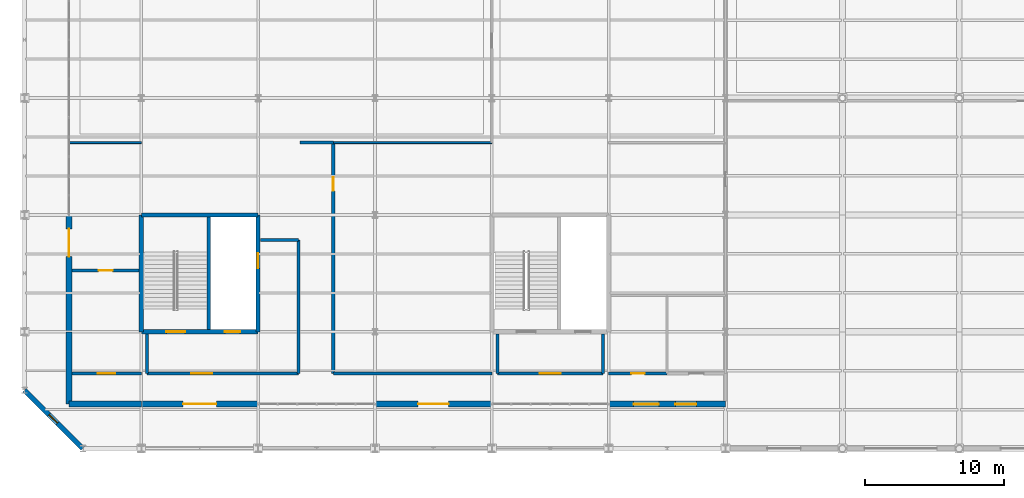
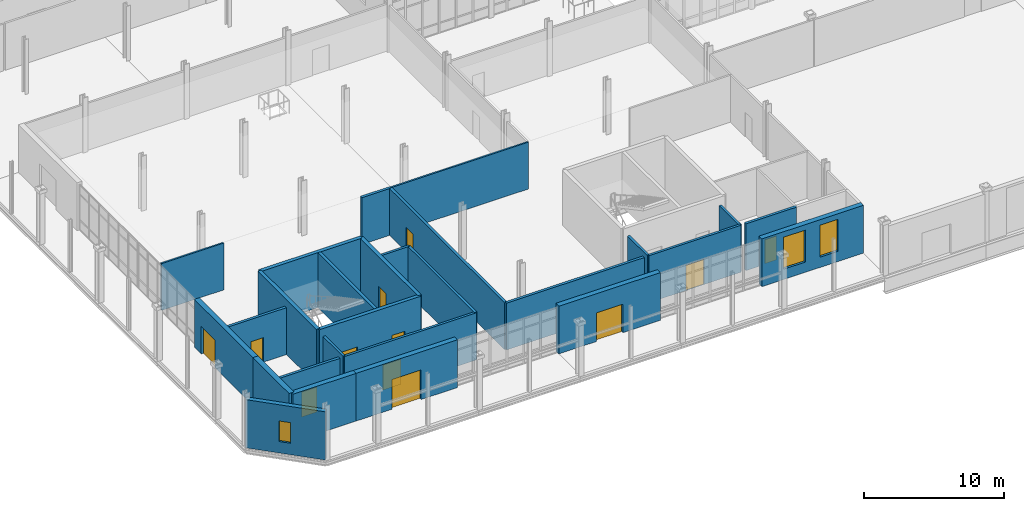
# One storey, part 123 of 145: 27 walls, 12 doors, 3 windows, 15 openings.
"""IFC4 building model written with IfcOpenShell, lengths in metres."""

from ifc_helpers import new_model, si_unit, direction, frame, frame_2d, origin, place, context, subcontext, project, spatial, rectangle, extrude, material, layer, layer_set, type_object, element, fill, save


model = new_model("IFC4")

# Units and contexts
model_context = context("Model", 3, precision=1e-05, world=origin(), true_north=direction((0.0, 1.0)))
body_context = subcontext(model_context, "Body", "Model", "MODEL_VIEW")
ifc_project = project(units=[si_unit("LENGTHUNIT", "METRE"), si_unit("AREAUNIT", "SQUARE_METRE"), si_unit("VOLUMEUNIT", "CUBIC_METRE"), si_unit("PLANEANGLEUNIT", "RADIAN"), si_unit("MASSUNIT", "GRAM", prefix="KILO")], contexts=[model_context])

# Site, building, storey
site_placement = place(None, origin())
site = spatial("IfcSite", under=ifc_project, at=site_placement, CompositionType="ELEMENT")
building_placement = place(site_placement, origin())
building = spatial("IfcBuilding", under=site, at=building_placement, Name="Qalvenar Corner Mobility Hub", CompositionType="ELEMENT")
storey_placement = place(building_placement, origin())
storey = spatial("IfcBuildingStorey", under=building, at=storey_placement, Name="L00", CompositionType="ELEMENT", Elevation=0.0)

# Wall
ifc_material_1 = material(Name="Concrete C40/50", Category="concrete")
ifc_layer_1 = layer(ifc_material_1, 0.25)
ifc_layer_set_1 = layer_set([ifc_layer_1], Name="Concrete C40/50")
wall_type_1 = type_object("IfcWallType", Name="WL-CORE250", PredefinedType="SHEAR", material=ifc_layer_set_1)
wall_1_placement = place(storey_placement, frame((13.25, 8.550048828125, 0.0), z_axis=(0.0, 0.0, 1.0), x_axis=(0.0, 1.0, 0.0)))
element("IfcWall", 1, at=wall_1_placement, inside=storey, type_object=wall_type_1, Name="Core Divider Wall C1-L00", PredefinedType="SHEAR", context=body_context, shape_type="SweptSolid", body=[
    extrude(rectangle(XDim=8.099853515625, YDim=0.25, at=frame_2d((4.0498046875, 0.0))), origin(), (0.0, 0.0, 1.0), 4.800048828125),
])

# Wall, openings, doors
ifc_layer_2 = layer(ifc_material_1, 0.300048828125)
ifc_layer_set_2 = layer_set([ifc_layer_2], Name="Concrete C40/50")
wall_type_2 = type_object("IfcWallType", Name="WL-CORE300", PredefinedType="SHEAR", material=ifc_layer_set_2)
wall_2_placement = place(storey_placement, frame((8.39990234375, 8.39990234375, 0.0), z_axis=(0.0, 0.0, 1.0), x_axis=(1.0, 0.0, 0.0)))
wall_2 = element("IfcWall", 2, at=wall_2_placement, inside=storey, type_object=wall_type_2, Name="Core Shear Wall C1-L00-S", PredefinedType="SHEAR", context=body_context, shape_type="SweptSolid", body=[
    extrude(rectangle(XDim=8.400146484375, YDim=0.300048828125, at=frame_2d((4.2001953125, 0.0))), origin(), (0.0, 0.0, 1.0), 4.800048828125),
])
opening_1_placement = place(wall_2_placement, frame((1.800048828125, 0.0, 0.0)))
opening_1 = element("IfcOpeningElement", 3, at=opening_1_placement, cuts=wall_2, Name="Opening DR-067", PredefinedType="OPENING", context=body_context, shape_type="SweptSolid", body=[
    extrude(rectangle(XDim=1.35009765625, YDim=2.199951171875, at=frame_2d((0.675048828125, 1.10009765625))), frame((0.0, 0.16015625, 0.0), z_axis=(0.0, -1.0, 0.0), x_axis=(1.0, 0.0, 0.0)), (0.0, 0.0, 1.0), 0.320068359375),
])
opening_2_placement = place(wall_2_placement, frame((6.0, 0.0, 0.0)))
opening_2 = element("IfcOpeningElement", 4, at=opening_2_placement, cuts=wall_2, Name="Opening DR-068", PredefinedType="OPENING", context=body_context, shape_type="SweptSolid", body=[
    extrude(rectangle(XDim=1.10009765625, YDim=2.199951171875, at=frame_2d((0.550048828125, 1.10009765625))), frame((0.0, 0.16015625, 0.0), z_axis=(0.0, -1.0, 0.0), x_axis=(1.0, 0.0, 0.0)), (0.0, 0.0, 1.0), 0.320068359375),
])
ifc_material_2 = material(Name="Stainless Steel Lift Landing Door", Category="steel")
door_type_1 = type_object("IfcDoorType", Name="DR-LIFT-110", OperationType="SLIDING_TO_LEFT", PredefinedType="DOOR", material=ifc_material_2)
door_1_placement = place(opening_2_placement, origin())
door_1 = element("IfcDoor", 5, at=door_1_placement, inside=storey, type_object=door_type_1, Name="DR-068 Lift Landing Door LF1-L00", OperationType="SLIDING_TO_LEFT", OverallHeight=2.199951171875, OverallWidth=1.10009765625, PredefinedType="DOOR", context=body_context, shape_type="SweptSolid", body=[
    extrude(rectangle(XDim=1.10009765625, YDim=2.199951171875, at=frame_2d((0.550048828125, 1.10009765625))), frame((0.0, 0.02490234375, 0.0), z_axis=(0.0, -1.0, 0.0), x_axis=(1.0, 0.0, 0.0)), (0.0, 0.0, 1.0), 0.050048828125),
])
fill(opening_2, door_1)
ifc_material_3 = material(Name="Fire-Rated Steel Stair Door FD90", Category="steel")
door_type_2 = type_object("IfcDoorType", Name="DR-STAIR-135", OperationType="NOTDEFINED", PredefinedType="DOOR", material=ifc_material_3)
door_2_placement = place(opening_1_placement, origin())
door_2 = element("IfcDoor", 6, at=door_2_placement, inside=storey, type_object=door_type_2, Name="DR-067 Stair Fire Door ST1-L00", OperationType="SINGLE_SWING_RIGHT", OverallHeight=2.199951171875, OverallWidth=1.35009765625, PredefinedType="DOOR", context=body_context, shape_type="SweptSolid", body=[
    extrude(rectangle(XDim=1.35009765625, YDim=2.199951171875, at=frame_2d((0.675048828125, 1.10009765625))), frame((0.0, 0.02490234375, 0.0), z_axis=(0.0, -1.0, 0.0), x_axis=(1.0, 0.0, 0.0)), (0.0, 0.0, 1.0), 0.050048828125),
])
fill(opening_1, door_2)

# Wall, opening, door
wall_3_placement = place(storey_placement, frame((16.800048828125, 8.39990234375, 0.0), z_axis=(0.0, 0.0, 1.0), x_axis=(0.0, 1.0, 0.0)))
wall_3 = element("IfcWall", 7, at=wall_3_placement, inside=storey, type_object=wall_type_2, Name="Core Shear Wall C1-L00-E", PredefinedType="SHEAR", context=body_context, shape_type="SweptSolid", body=[
    extrude(rectangle(XDim=8.400146484375, YDim=0.300048828125, at=frame_2d((4.2001953125, 0.0))), origin(), (0.0, 0.0, 1.0), 4.800048828125),
])
opening_3_placement = place(wall_3_placement, frame((4.550048828125, 0.0, 0.0)))
opening_3 = element("IfcOpeningElement", 8, at=opening_3_placement, cuts=wall_3, Name="Opening DR-069", PredefinedType="OPENING", context=body_context, shape_type="SweptSolid", body=[
    extrude(rectangle(XDim=1.10009765625, YDim=2.199951171875, at=frame_2d((0.550048828125, 1.10009765625))), frame((0.0, 0.16015625, 0.0), z_axis=(0.0, -1.0, 0.0), x_axis=(1.0, 0.0, 0.0)), (0.0, 0.0, 1.0), 0.320068359375),
])
door_3_placement = place(opening_3_placement, origin())
door_3 = element("IfcDoor", 9, at=door_3_placement, inside=storey, type_object=door_type_1, Name="DR-069 Lift Landing Door LP1-L00", OperationType="SLIDING_TO_RIGHT", OverallHeight=2.199951171875, OverallWidth=1.10009765625, PredefinedType="DOOR", context=body_context, shape_type="SweptSolid", body=[
    extrude(rectangle(XDim=1.10009765625, YDim=2.199951171875, at=frame_2d((0.550048828125, 1.10009765625))), frame((0.0, 0.02490234375, 0.0), z_axis=(0.0, -1.0, 0.0), x_axis=(1.0, 0.0, 0.0)), (0.0, 0.0, 1.0), 0.050048828125),
])
fill(opening_3, door_3)

# Walls
for number, where, z_axis, x_axis, name in (
    (10, (16.800048828125, 16.800048828125, 0.0), (0.0, 0.0, 1.0), (-1.0, 0.0, 0.0), "Core Shear Wall C1-L00-N"),
    (11, (8.39990234375, 16.800048828125, 0.0), (0.0, 0.0, 1.0), (0.0, -1.0, 0.0), "Core Shear Wall C1-L00-W"),
):
    element("IfcWall", number, at=place(storey_placement, frame(where, z_axis=z_axis, x_axis=x_axis)), inside=storey, type_object=wall_type_2, Name=name, PredefinedType="SHEAR", context=body_context, shape_type="SweptSolid", body=[
        extrude(rectangle(XDim=8.400146484375, YDim=0.300048828125, at=frame_2d((4.2001953125, 0.0))), origin(), (0.0, 0.0, 1.0), 4.800048828125),
    ])
ifc_material_4 = material(Name="Carved Red Sandstone Arcade Pier Masonry", Category="masonry")
ifc_layer_3 = layer(ifc_material_4, 0.419921875)
ifc_layer_set_3 = layer_set([ifc_layer_3], Name="Carved Red Sandstone Arcade Pier Masonry")
wall_type_3 = type_object("IfcWallType", Name="WL-EXT-ARC420", PredefinedType="STANDARD", material=ifc_layer_set_3)
wall_4_placement = place(storey_placement, frame((3.199951171875, 3.199951171875, 0.0), z_axis=(0.0, 0.0, 1.0), x_axis=(1.0, 0.0, 0.0)))
element("IfcWall", 12, at=wall_4_placement, inside=storey, type_object=wall_type_3, Name="Exterior Facade Wall EW-V3-L00-001", PredefinedType="STANDARD", context=body_context, shape_type="SweptSolid", body=[
    extrude(rectangle(XDim=5.199951171875, YDim=0.419921875, at=frame_2d((2.60009765625, 0.0))), origin(), (0.0, 0.0, 1.0), 4.179931640625),
])

# Wall, opening, door
wall_5_placement = place(storey_placement, frame((8.39990234375, 3.199951171875, 0.0), z_axis=(0.0, 0.0, 1.0), x_axis=(1.0, 0.0, 0.0)))
wall_5 = element("IfcWall", 13, at=wall_5_placement, inside=storey, type_object=wall_type_3, Name="Exterior Facade Wall EW-V3-L00-002", PredefinedType="STANDARD", context=body_context, shape_type="SweptSolid", body=[
    extrude(rectangle(XDim=8.400146484375, YDim=0.419921875, at=frame_2d((4.2001953125, 0.0))), origin(), (0.0, 0.0, 1.0), 4.179931640625),
])
opening_4_placement = place(wall_5_placement, frame((3.0, 0.0, 0.0)))
opening_4 = element("IfcOpeningElement", 14, at=opening_4_placement, cuts=wall_5, Name="Opening DR-046", PredefinedType="OPENING", context=body_context, shape_type="SweptSolid", body=[
    extrude(rectangle(XDim=2.39990234375, YDim=2.60009765625, at=frame_2d((1.199951171875, 1.300048828125))), frame((0.0, 0.219970703125, 0.0), z_axis=(0.0, -1.0, 0.0), x_axis=(1.0, 0.0, 0.0)), (0.0, 0.0, 1.0), 0.43994140625),
])
ifc_material_5 = material(Name="Bronze-Framed Glazed Entrance Door", Category="aluminium")
door_type_3 = type_object("IfcDoorType", Name="DR-EXT-DBL240", OperationType="DOUBLE_DOOR_SINGLE_SWING", PredefinedType="DOOR", material=ifc_material_5)
door_4_placement = place(opening_4_placement, origin())
door_4 = element("IfcDoor", 15, at=door_4_placement, inside=storey, type_object=door_type_3, Name="DR-046 Pedestrian Final Exit Door E1", OperationType="DOUBLE_DOOR_SINGLE_SWING", OverallHeight=2.60009765625, OverallWidth=2.39990234375, PredefinedType="DOOR", context=body_context, shape_type="SweptSolid", body=[
    extrude(rectangle(XDim=2.39990234375, YDim=2.60009765625, at=frame_2d((1.199951171875, 1.300048828125))), frame((0.0, 0.02490234375, 0.0), z_axis=(0.0, -1.0, 0.0), x_axis=(1.0, 0.0, 0.0)), (0.0, 0.0, 1.0), 0.050048828125),
])
fill(opening_4, door_4)

wall_6_placement = place(storey_placement, frame((25.199951171875, 3.199951171875, 0.0), z_axis=(0.0, 0.0, 1.0), x_axis=(1.0, 0.0, 0.0)))
wall_6 = element("IfcWall", 16, at=wall_6_placement, inside=storey, type_object=wall_type_3, Name="Exterior Facade Wall EW-V3-L00-003", PredefinedType="STANDARD", context=body_context, shape_type="SweptSolid", body=[
    extrude(rectangle(XDim=8.400146484375, YDim=0.419921875, at=frame_2d((4.2001953125, 0.0))), origin(), (0.0, 0.0, 1.0), 4.179931640625),
])
opening_5_placement = place(wall_6_placement, frame((3.10009765625, 0.0, 0.0)))
opening_5 = element("IfcOpeningElement", 17, at=opening_5_placement, cuts=wall_6, Name="Opening DR-047", PredefinedType="OPENING", context=body_context, shape_type="SweptSolid", body=[
    extrude(rectangle(XDim=2.199951171875, YDim=2.5, at=frame_2d((1.10009765625, 1.25))), frame((0.0, 0.219970703125, 0.0), z_axis=(0.0, -1.0, 0.0), x_axis=(1.0, 0.0, 0.0)), (0.0, 0.0, 1.0), 0.43994140625),
])
ifc_material_6 = material(Name="Bronze-Framed Courtyard Exit Door", Category="aluminium")
door_type_4 = type_object("IfcDoorType", Name="DR-EXT-DBL220", OperationType="DOUBLE_DOOR_SINGLE_SWING", PredefinedType="DOOR", material=ifc_material_6)
door_5_placement = place(opening_5_placement, origin())
door_5 = element("IfcDoor", 18, at=door_5_placement, inside=storey, type_object=door_type_4, Name="DR-047 Pedestrian Final Exit Door E2", OperationType="DOUBLE_DOOR_SINGLE_SWING", OverallHeight=2.5, OverallWidth=2.199951171875, PredefinedType="DOOR", context=body_context, shape_type="SweptSolid", body=[
    extrude(rectangle(XDim=2.199951171875, YDim=2.5, at=frame_2d((1.10009765625, 1.25))), frame((0.0, 0.02490234375, 0.0), z_axis=(0.0, -1.0, 0.0), x_axis=(1.0, 0.0, 0.0)), (0.0, 0.0, 1.0), 0.050048828125),
])
fill(opening_5, door_5)

# Wall, openings, windows
wall_7_placement = place(storey_placement, frame((42.0, 3.199951171875, 0.0), z_axis=(0.0, 0.0, 1.0), x_axis=(1.0, 0.0, 0.0)))
wall_7 = element("IfcWall", 19, at=wall_7_placement, inside=storey, type_object=wall_type_3, Name="Exterior Facade Wall EW-V3-L00-004", PredefinedType="STANDARD", context=body_context, shape_type="SweptSolid", body=[
    extrude(rectangle(XDim=8.39990234375, YDim=0.419921875, at=frame_2d((4.199951171875, 0.0))), origin(), (0.0, 0.0, 1.0), 4.179931640625),
])
opening_6_placement = place(wall_7_placement, frame((1.800048828125, 0.0, 0.89990234375)))
opening_6 = element("IfcOpeningElement", 20, at=opening_6_placement, cuts=wall_7, Name="Opening W-01", PredefinedType="OPENING", context=body_context, shape_type="SweptSolid", body=[
    extrude(rectangle(XDim=1.800048828125, YDim=2.800048828125, at=frame_2d((0.89990234375, 1.39990234375))), frame((0.0, 0.219970703125, 0.0), z_axis=(0.0, -1.0, 0.0), x_axis=(1.0, 0.0, 0.0)), (0.0, 0.0, 1.0), 0.43994140625),
])
opening_7_placement = place(wall_7_placement, frame((4.800048828125, 0.0, 0.89990234375)))
opening_7 = element("IfcOpeningElement", 21, at=opening_7_placement, cuts=wall_7, Name="Opening W-02", PredefinedType="OPENING", context=body_context, shape_type="SweptSolid", body=[
    extrude(rectangle(XDim=1.5, YDim=2.800048828125, at=frame_2d((0.75, 1.39990234375))), frame((0.0, 0.219970703125, 0.0), z_axis=(0.0, -1.0, 0.0), x_axis=(1.0, 0.0, 0.0)), (0.0, 0.0, 1.0), 0.43994140625),
])
ifc_material_7 = material(Name="Solar-Control Double-Glazed Bronze Window", Category="glass")
window_type_1 = type_object("IfcWindowType", Name="WN-ARC-150X280", PartitioningType="DOUBLE_PANEL_VERTICAL", PredefinedType="WINDOW", material=ifc_material_7)
window_1_placement = place(opening_7_placement, origin())
window_1 = element("IfcWindow", 22, at=window_1_placement, inside=storey, type_object=window_type_1, Name="Facade Window EW-V3-L00-004-W2", OverallHeight=2.800048828125, OverallWidth=1.5, PartitioningType="SINGLE_PANEL", PredefinedType="WINDOW", context=body_context, shape_type="SweptSolid", body=[
    extrude(rectangle(XDim=1.5, YDim=2.800048828125, at=frame_2d((0.75, 1.39990234375))), frame((0.0, 0.030029296875, 0.0), z_axis=(0.0, -1.0, 0.0), x_axis=(1.0, 0.0, 0.0)), (0.0, 0.0, 1.0), 0.06005859375),
])
fill(opening_7, window_1)
window_type_2 = type_object("IfcWindowType", Name="WN-ARC-180X280", PartitioningType="DOUBLE_PANEL_VERTICAL", PredefinedType="WINDOW", material=ifc_material_7)
window_2_placement = place(opening_6_placement, origin())
window_2 = element("IfcWindow", 23, at=window_2_placement, inside=storey, type_object=window_type_2, Name="Facade Window EW-V3-L00-004-W1", OverallHeight=2.800048828125, OverallWidth=1.800048828125, PartitioningType="SINGLE_PANEL", PredefinedType="WINDOW", context=body_context, shape_type="SweptSolid", body=[
    extrude(rectangle(XDim=1.800048828125, YDim=2.800048828125, at=frame_2d((0.89990234375, 1.39990234375))), frame((0.0, 0.030029296875, 0.0), z_axis=(0.0, -1.0, 0.0), x_axis=(1.0, 0.0, 0.0)), (0.0, 0.0, 1.0), 0.06005859375),
])
fill(opening_6, window_2)

# Wall
wall_8_placement = place(storey_placement, frame((3.199951171875, 8.39990234375, 0.0), z_axis=(0.0, 0.0, 1.0), x_axis=(0.0, -1.0, 0.0)))
element("IfcWall", 24, at=wall_8_placement, inside=storey, type_object=wall_type_3, Name="Exterior Facade Wall EW-V3-L00-005", PredefinedType="STANDARD", context=body_context, shape_type="SweptSolid", body=[
    extrude(rectangle(XDim=5.199951171875, YDim=0.419921875, at=frame_2d((2.60009765625, 0.0))), origin(), (0.0, 0.0, 1.0), 4.179931640625),
])

# Wall, opening, door
wall_9_placement = place(storey_placement, frame((3.199951171875, 16.800048828125, 0.0), z_axis=(0.0, 0.0, 1.0), x_axis=(0.0, -1.0, 0.0)))
wall_9 = element("IfcWall", 25, at=wall_9_placement, inside=storey, type_object=wall_type_3, Name="Exterior Facade Wall EW-V3-L00-006", PredefinedType="STANDARD", context=body_context, shape_type="SweptSolid", body=[
    extrude(rectangle(XDim=8.400146484375, YDim=0.419921875, at=frame_2d((4.2001953125, 0.0))), origin(), (0.0, 0.0, 1.0), 4.179931640625),
])
opening_8_placement = place(wall_9_placement, frame((1.0, 0.0, 0.0)))
opening_8 = element("IfcOpeningElement", 26, at=opening_8_placement, cuts=wall_9, Name="Opening DR-048", PredefinedType="OPENING", context=body_context, shape_type="SweptSolid", body=[
    extrude(rectangle(XDim=2.0, YDim=2.39990234375, at=frame_2d((1.0, 1.199951171875))), frame((0.0, 0.219970703125, 0.0), z_axis=(0.0, -1.0, 0.0), x_axis=(1.0, 0.0, 0.0)), (0.0, 0.0, 1.0), 0.43994140625),
])
ifc_material_8 = material(Name="Bronze-Framed Glazed Exit Door", Category="aluminium")
door_type_5 = type_object("IfcDoorType", Name="DR-EXT-DBL200", OperationType="DOUBLE_DOOR_SINGLE_SWING", PredefinedType="DOOR", material=ifc_material_8)
door_6_placement = place(opening_8_placement, origin())
door_6 = element("IfcDoor", 27, at=door_6_placement, inside=storey, type_object=door_type_5, Name="DR-048 Pedestrian Final Exit Door E3", OperationType="DOUBLE_DOOR_SINGLE_SWING", OverallHeight=2.39990234375, OverallWidth=2.0, PredefinedType="DOOR", context=body_context, shape_type="SweptSolid", body=[
    extrude(rectangle(XDim=2.0, YDim=2.39990234375, at=frame_2d((1.0, 1.199951171875))), frame((0.0, 0.02490234375, 0.0), z_axis=(0.0, -1.0, 0.0), x_axis=(1.0, 0.0, 0.0)), (0.0, 0.0, 1.0), 0.050048828125),
])
fill(opening_8, door_6)

# Wall, opening, window
ifc_material_9 = material(Name="Red Sandstone Ashlar Masonry", Category="masonry")
ifc_layer_4 = layer(ifc_material_9, 0.360107421875)
ifc_layer_set_4 = layer_set([ifc_layer_4], Name="Red Sandstone Ashlar Masonry")
wall_type_4 = type_object("IfcWallType", Name="WL-EXT-SAND360", PredefinedType="STANDARD", material=ifc_layer_set_4)
wall_10_placement = place(storey_placement, frame((0.0, 4.199951171875, 0.0), z_axis=(0.0, 0.0, 1.0), x_axis=(0.707106781187, -0.707106781187, 0.0)))
wall_10 = element("IfcWall", 28, at=wall_10_placement, inside=storey, type_object=wall_type_4, Name="Exterior Facade Wall EW-V3-SPL-L00", PredefinedType="STANDARD", context=body_context, shape_type="SweptSolid", body=[
    extrude(rectangle(XDim=5.939697265625, YDim=0.360107421875, at=frame_2d((2.9697265625, 0.0))), origin(), (0.0, 0.0, 1.0), 4.219970703125),
])
opening_9_placement = place(wall_10_placement, frame((2.5, 0.0, 1.0)))
opening_9 = element("IfcOpeningElement", 29, at=opening_9_placement, cuts=wall_10, Name="Opening W-23", PredefinedType="OPENING", context=body_context, shape_type="SweptSolid", body=[
    extrude(rectangle(XDim=0.85009765625, YDim=1.800048828125, at=frame_2d((0.425048828125, 0.89990234375))), frame((0.0, 0.18994140625, 0.0), z_axis=(0.0, -1.0, 0.0), x_axis=(1.0, 0.0, 0.0)), (0.0, 0.0, 1.0), 0.380126953125),
])
window_type_3 = type_object("IfcWindowType", Name="WN-STR-085X180", PartitioningType="SINGLE_PANEL", PredefinedType="WINDOW", material=ifc_material_7)
window_3_placement = place(opening_9_placement, origin())
window_3 = element("IfcWindow", 30, at=window_3_placement, inside=storey, type_object=window_type_3, Name="Facade Window EW-V3-SPL-L00-W1", OverallHeight=1.800048828125, OverallWidth=0.85009765625, PartitioningType="SINGLE_PANEL", PredefinedType="WINDOW", context=body_context, shape_type="SweptSolid", body=[
    extrude(rectangle(XDim=0.85009765625, YDim=1.800048828125, at=frame_2d((0.425048828125, 0.89990234375))), frame((0.0, 0.030029296875, 0.0), z_axis=(0.0, -1.0, 0.0), x_axis=(1.0, 0.0, 0.0)), (0.0, 0.0, 1.0), 0.06005859375),
])
fill(opening_9, window_3)

# Wall, opening, door
ifc_material_10 = material(Name="Concrete Blockwork Masonry", Category="masonry")
ifc_layer_5 = layer(ifc_material_10, 0.219970703125)
ifc_layer_set_5 = layer_set([ifc_layer_5], Name="Concrete Blockwork Masonry")
wall_type_5 = type_object("IfcWallType", Name="WL-FIRE220", PredefinedType="PARTITIONING", material=ifc_layer_set_5)
wall_11_placement = place(storey_placement, frame((3.4150390625, 5.39990234375, 0.0), z_axis=(0.0, 0.0, 1.0), x_axis=(1.0, 0.0, 0.0)))
wall_11 = element("IfcWall", 31, at=wall_11_placement, inside=storey, type_object=wall_type_5, Name="Interior Partition PRT-L00-001", PredefinedType="PARTITIONING", context=body_context, shape_type="SweptSolid", body=[
    extrude(rectangle(XDim=4.98486328125, YDim=0.219970703125, at=frame_2d((2.492431640625, 0.0))), origin(), (0.0, 0.0, 1.0), 4.10009765625),
])
opening_10_placement = place(wall_11_placement, frame((1.867919921875, 0.0, 0.0)))
opening_10 = element("IfcOpeningElement", 32, at=opening_10_placement, cuts=wall_11, Name="Opening DR-087", PredefinedType="OPENING", context=body_context, shape_type="SweptSolid", body=[
    extrude(rectangle(XDim=1.25, YDim=2.199951171875, at=frame_2d((0.625, 1.10009765625))), frame((0.0, 0.1201171875, 0.0), z_axis=(0.0, -1.0, 0.0), x_axis=(1.0, 0.0, 0.0)), (0.0, 0.0, 1.0), 0.239990234375),
])
ifc_material_11 = material(Name="Acoustic Steel Plant Room Door FD60", Category="steel")
door_type_6 = type_object("IfcDoorType", Name="DR-INT-PLT125", OperationType="NOTDEFINED", PredefinedType="DOOR", material=ifc_material_11)
door_7_placement = place(opening_10_placement, origin())
door_7 = element("IfcDoor", 33, at=door_7_placement, inside=storey, type_object=door_type_6, Name="DR-087 Fire Command Centre Door", OperationType="SINGLE_SWING_LEFT", OverallHeight=2.199951171875, OverallWidth=1.25, PredefinedType="DOOR", context=body_context, shape_type="SweptSolid", body=[
    extrude(rectangle(XDim=1.25, YDim=2.199951171875, at=frame_2d((0.625, 1.10009765625))), frame((0.0, 0.02490234375, 0.0), z_axis=(0.0, -1.0, 0.0), x_axis=(1.0, 0.0, 0.0)), (0.0, 0.0, 1.0), 0.050048828125),
])
fill(opening_10, door_7)

# Wall
wall_12_placement = place(storey_placement, frame((22.199951171875, 5.39990234375, 0.0), z_axis=(0.0, 0.0, 1.0), x_axis=(1.0, 0.0, 0.0)))
element("IfcWall", 34, at=wall_12_placement, inside=storey, type_object=wall_type_5, Name="Interior Partition PRT-L00-002", PredefinedType="PARTITIONING", context=body_context, shape_type="SweptSolid", body=[
    extrude(rectangle(XDim=11.400146484375, YDim=0.219970703125, at=frame_2d((5.7001953125, 0.0))), origin(), (0.0, 0.0, 1.0), 4.10009765625),
])

# Wall, opening, door
wall_13_placement = place(storey_placement, frame((42.0, 5.39990234375, 0.0), z_axis=(0.0, 0.0, 1.0), x_axis=(1.0, 0.0, 0.0)))
wall_13 = element("IfcWall", 35, at=wall_13_placement, inside=storey, type_object=wall_type_5, Name="Interior Partition PRT-L00-003", PredefinedType="PARTITIONING", context=body_context, shape_type="SweptSolid", body=[
    extrude(rectangle(XDim=4.199951171875, YDim=0.219970703125, at=frame_2d((2.10009765625, 0.0))), origin(), (0.0, 0.0, 1.0), 4.10009765625),
])
opening_11_placement = place(wall_13_placement, frame((1.625, 0.0, 0.0)))
opening_11 = element("IfcOpeningElement", 36, at=opening_11_placement, cuts=wall_13, Name="Opening DR-088", PredefinedType="OPENING", context=body_context, shape_type="SweptSolid", body=[
    extrude(rectangle(XDim=0.949951171875, YDim=2.10009765625, at=frame_2d((0.47509765625, 1.050048828125))), frame((0.0, 0.1201171875, 0.0), z_axis=(0.0, -1.0, 0.0), x_axis=(1.0, 0.0, 0.0)), (0.0, 0.0, 1.0), 0.239990234375),
])
ifc_material_12 = material(Name="Moisture-Resistant Laminate WC Door", Category="wood")
door_type_7 = type_object("IfcDoorType", Name="DR-INT-WC095", OperationType="NOTDEFINED", PredefinedType="DOOR", material=ifc_material_12)
door_8_placement = place(opening_11_placement, origin())
door_8 = element("IfcDoor", 37, at=door_8_placement, inside=storey, type_object=door_type_7, Name="DR-088 Ground Public Toilets Door", OperationType="SINGLE_SWING_LEFT", OverallHeight=2.10009765625, OverallWidth=0.949951171875, PredefinedType="DOOR", context=body_context, shape_type="SweptSolid", body=[
    extrude(rectangle(XDim=0.949951171875, YDim=2.10009765625, at=frame_2d((0.47509765625, 1.050048828125))), frame((0.0, 0.02490234375, 0.0), z_axis=(0.0, -1.0, 0.0), x_axis=(1.0, 0.0, 0.0)), (0.0, 0.0, 1.0), 0.050048828125),
])
fill(opening_11, door_8)

wall_14_placement = place(storey_placement, frame((3.4150390625, 12.800048828125, 0.0), z_axis=(0.0, 0.0, 1.0), x_axis=(1.0, 0.0, 0.0)))
wall_14 = element("IfcWall", 38, at=wall_14_placement, inside=storey, type_object=wall_type_5, Name="Interior Partition PRT-L00-011", PredefinedType="PARTITIONING", context=body_context, shape_type="SweptSolid", body=[
    extrude(rectangle(XDim=4.830078125, YDim=0.219970703125, at=frame_2d((2.4150390625, 0.0))), origin(), (0.0, 0.0, 1.0), 4.10009765625),
])
opening_12_placement = place(wall_14_placement, frame((1.9150390625, 0.0, 0.0)))
opening_12 = element("IfcOpeningElement", 39, at=opening_12_placement, cuts=wall_14, Name="Opening DR-092", PredefinedType="OPENING", context=body_context, shape_type="SweptSolid", body=[
    extrude(rectangle(XDim=1.0, YDim=2.14990234375, at=frame_2d((0.5, 1.074951171875))), frame((0.0, 0.1201171875, 0.0), z_axis=(0.0, -1.0, 0.0), x_axis=(1.0, 0.0, 0.0)), (0.0, 0.0, 1.0), 0.239990234375),
])
ifc_material_13 = material(Name="Hardwood Teak Office Door FD30", Category="wood")
door_type_8 = type_object("IfcDoorType", Name="DR-INT-OFF100", OperationType="NOTDEFINED", PredefinedType="DOOR", material=ifc_material_13)
door_9_placement = place(opening_12_placement, origin())
door_9 = element("IfcDoor", 40, at=door_9_placement, inside=storey, type_object=door_type_8, Name="DR-092 Left-Luggage and Parcel Locker Room Door", OperationType="SINGLE_SWING_LEFT", OverallHeight=2.14990234375, OverallWidth=1.0, PredefinedType="DOOR", context=body_context, shape_type="SweptSolid", body=[
    extrude(rectangle(XDim=1.0, YDim=2.14990234375, at=frame_2d((0.5, 1.074951171875))), frame((0.0, 0.02490234375, 0.0), z_axis=(0.0, -1.0, 0.0), x_axis=(1.0, 0.0, 0.0)), (0.0, 0.0, 1.0), 0.050048828125),
])
fill(opening_12, door_9)

# Wall
wall_15_placement = place(storey_placement, frame((19.800048828125, 22.0, 0.0), z_axis=(0.0, 0.0, 1.0), x_axis=(1.0, 0.0, 0.0)))
element("IfcWall", 41, at=wall_15_placement, inside=storey, type_object=wall_type_5, Name="Interior Partition PRT-L00-015", PredefinedType="PARTITIONING", context=body_context, shape_type="SweptSolid", body=[
    extrude(rectangle(XDim=2.39990234375, YDim=0.219970703125, at=frame_2d((1.199951171875, 0.0))), origin(), (0.0, 0.0, 1.0), 4.10009765625),
])

# Wall, opening, door
wall_16_placement = place(storey_placement, frame((22.199951171875, 5.39990234375, 0.0), z_axis=(0.0, 0.0, 1.0), x_axis=(0.0, 1.0, 0.0)))
wall_16 = element("IfcWall", 42, at=wall_16_placement, inside=storey, type_object=wall_type_5, Name="Interior Partition PRT-L00-042", PredefinedType="PARTITIONING", context=body_context, shape_type="SweptSolid", body=[
    extrude(rectangle(XDim=16.60009765625, YDim=0.219970703125, at=frame_2d((8.300048828125, 0.0))), origin(), (0.0, 0.0, 1.0), 4.10009765625),
])
opening_13_placement = place(wall_16_placement, frame((13.1201171875, 0.0, 0.0)))
opening_13 = element("IfcOpeningElement", 43, at=opening_13_placement, cuts=wall_16, Name="Opening DR-107", PredefinedType="OPENING", context=body_context, shape_type="SweptSolid", body=[
    extrude(rectangle(XDim=1.0, YDim=2.14990234375, at=frame_2d((0.5, 1.074951171875))), frame((0.0, 0.1201171875, 0.0), z_axis=(0.0, -1.0, 0.0), x_axis=(1.0, 0.0, 0.0)), (0.0, 0.0, 1.0), 0.239990234375),
])
door_10_placement = place(opening_13_placement, origin())
door_10 = element("IfcDoor", 44, at=door_10_placement, inside=storey, type_object=door_type_8, Name="DR-107 Passenger First Aid and Security Suite Door", OperationType="SINGLE_SWING_RIGHT", OverallHeight=2.14990234375, OverallWidth=1.0, PredefinedType="DOOR", context=body_context, shape_type="SweptSolid", body=[
    extrude(rectangle(XDim=1.0, YDim=2.14990234375, at=frame_2d((0.5, 1.074951171875))), frame((0.0, 0.02490234375, 0.0), z_axis=(0.0, -1.0, 0.0), x_axis=(1.0, 0.0, 0.0)), (0.0, 0.0, 1.0), 0.050048828125),
])
fill(opening_13, door_10)

# Walls
ifc_material_14 = material(Name="Acoustic Gypsum Stud Partition", Category="masonry")
ifc_layer_6 = layer(ifc_material_14, 0.139892578125)
ifc_layer_set_6 = layer_set([ifc_layer_6], Name="Acoustic Gypsum Stud Partition")
wall_type_6 = type_object("IfcWallType", Name="WL-INT140", PredefinedType="PARTITIONING", material=ifc_layer_set_6)
wall_17_placement = place(storey_placement, frame((3.2451171875, 22.0, 0.0), z_axis=(0.0, 0.0, 1.0), x_axis=(1.0, 0.0, 0.0)))
element("IfcWall", 45, at=wall_17_placement, inside=storey, type_object=wall_type_6, Name="Interior Partition PRT-L00-014", PredefinedType="PARTITIONING", context=body_context, shape_type="SweptSolid", body=[
    extrude(rectangle(XDim=5.15478515625, YDim=0.139892578125, at=frame_2d((2.577392578125, 0.0))), origin(), (0.0, 0.0, 1.0), 4.10009765625),
])
wall_18_placement = place(storey_placement, frame((22.199951171875, 22.0, 0.0), z_axis=(0.0, 0.0, 1.0), x_axis=(1.0, 0.0, 0.0)))
element("IfcWall", 46, at=wall_18_placement, inside=storey, type_object=wall_type_6, Name="Interior Partition PRT-L00-016", PredefinedType="PARTITIONING", context=body_context, shape_type="SweptSolid", body=[
    extrude(rectangle(XDim=11.400146484375, YDim=0.139892578125, at=frame_2d((5.7001953125, 0.0))), origin(), (0.0, 0.0, 1.0), 4.10009765625),
])
ifc_material_15 = material(Name="Concrete Blockwork Masonry", Category="masonry")
ifc_layer_7 = layer(ifc_material_15, 0.199951171875)
ifc_layer_set_7 = layer_set([ifc_layer_7], Name="Concrete Blockwork Masonry")
wall_type_7 = type_object("IfcWallType", Name="WL-LOBBY200", PredefinedType="PARTITIONING", material=ifc_layer_set_7)
wall_19_placement = place(storey_placement, frame((8.800048828125, 5.39990234375, 0.0), z_axis=(0.0, 0.0, 1.0), x_axis=(0.0, 1.0, 0.0)))
element("IfcWall", 47, at=wall_19_placement, inside=storey, type_object=wall_type_7, Name="Interior Partition WL-LOB-C1-L00-W", PredefinedType="PARTITIONING", context=body_context, shape_type="SweptSolid", body=[
    extrude(rectangle(XDim=2.85009765625, YDim=0.199951171875, at=frame_2d((1.425048828125, 0.0))), origin(), (0.0, 0.0, 1.0), 4.1201171875),
])

# Wall, opening, door
wall_20_placement = place(storey_placement, frame((8.800048828125, 5.39990234375, 0.0), z_axis=(0.0, 0.0, 1.0), x_axis=(1.0, 0.0, 0.0)))
wall_20 = element("IfcWall", 48, at=wall_20_placement, inside=storey, type_object=wall_type_7, Name="Interior Partition WL-LOB-C1-L00-S", PredefinedType="PARTITIONING", context=body_context, shape_type="SweptSolid", body=[
    extrude(rectangle(XDim=10.89990234375, YDim=0.199951171875, at=frame_2d((5.449951171875, 0.0))), origin(), (0.0, 0.0, 1.0), 4.1201171875),
])
opening_14_placement = place(wall_20_placement, frame((3.199951171875, 0.0, 0.0)))
opening_14 = element("IfcOpeningElement", 49, at=opening_14_placement, cuts=wall_20, Name="Opening DR-070", PredefinedType="OPENING", context=body_context, shape_type="SweptSolid", body=[
    extrude(rectangle(XDim=1.5, YDim=2.199951171875, at=frame_2d((0.75, 1.10009765625))), frame((0.0, 0.10986328125, 0.0), z_axis=(0.0, -1.0, 0.0), x_axis=(1.0, 0.0, 0.0)), (0.0, 0.0, 1.0), 0.219970703125),
])
ifc_material_16 = material(Name="Firefighting Lobby Smoke-Control Door FD60", Category="steel")
door_type_9 = type_object("IfcDoorType", Name="DR-FFLOB-150", OperationType="DOUBLE_DOOR_SINGLE_SWING", PredefinedType="DOOR", material=ifc_material_16)
door_11_placement = place(opening_14_placement, origin())
door_11 = element("IfcDoor", 50, at=door_11_placement, inside=storey, type_object=door_type_9, Name="DR-070 Lift Lobby Smoke Door C1-L00", OperationType="DOUBLE_DOOR_SINGLE_SWING", OverallHeight=2.199951171875, OverallWidth=1.5, PredefinedType="DOOR", context=body_context, shape_type="SweptSolid", body=[
    extrude(rectangle(XDim=1.5, YDim=2.199951171875, at=frame_2d((0.75, 1.10009765625))), frame((0.0, 0.02490234375, 0.0), z_axis=(0.0, -1.0, 0.0), x_axis=(1.0, 0.0, 0.0)), (0.0, 0.0, 1.0), 0.050048828125),
])
fill(opening_14, door_11)

# Walls
wall_21_placement = place(storey_placement, frame((19.699951171875, 5.39990234375, 0.0), z_axis=(0.0, 0.0, 1.0), x_axis=(0.0, 1.0, 0.0)))
element("IfcWall", 51, at=wall_21_placement, inside=storey, type_object=wall_type_7, Name="Interior Partition WL-LOB-C1-L00-E", PredefinedType="PARTITIONING", context=body_context, shape_type="SweptSolid", body=[
    extrude(rectangle(XDim=9.60009765625, YDim=0.199951171875, at=frame_2d((4.800048828125, 0.0))), origin(), (0.0, 0.0, 1.0), 4.1201171875),
])
wall_22_placement = place(storey_placement, frame((16.9599609375, 15.0, 0.0), z_axis=(0.0, 0.0, 1.0), x_axis=(1.0, 0.0, 0.0)))
element("IfcWall", 52, at=wall_22_placement, inside=storey, type_object=wall_type_7, Name="Interior Partition WL-LOB-C1-L00-N", PredefinedType="PARTITIONING", context=body_context, shape_type="SweptSolid", body=[
    extrude(rectangle(XDim=2.739990234375, YDim=0.199951171875, at=frame_2d((1.3701171875, 0.0))), origin(), (0.0, 0.0, 1.0), 4.1201171875),
])
for number, where, z_axis, x_axis, name in (
    (53, (34.0, 5.39990234375, 0.0), (0.0, 0.0, 1.0), (0.0, 1.0, 0.0), "Interior Partition WL-LOB-C2-L00-W"),
    (54, (41.60009765625, 5.39990234375, 0.0), (0.0, 0.0, 1.0), (0.0, 1.0, 0.0), "Interior Partition WL-LOB-C2-L00-E"),
):
    element("IfcWall", number, at=place(storey_placement, frame(where, z_axis=z_axis, x_axis=x_axis)), inside=storey, type_object=wall_type_7, Name=name, PredefinedType="PARTITIONING", context=body_context, shape_type="SweptSolid", body=[
        extrude(rectangle(XDim=2.85009765625, YDim=0.199951171875, at=frame_2d((1.425048828125, 0.0))), origin(), (0.0, 0.0, 1.0), 4.090087890625),
    ])

# Wall, opening, door
wall_23_placement = place(storey_placement, frame((34.0, 5.39990234375, 0.0), z_axis=(0.0, 0.0, 1.0), x_axis=(1.0, 0.0, 0.0)))
wall_23 = element("IfcWall", 55, at=wall_23_placement, inside=storey, type_object=wall_type_7, Name="Interior Partition WL-LOB-C2-L00-S", PredefinedType="PARTITIONING", context=body_context, shape_type="SweptSolid", body=[
    extrude(rectangle(XDim=7.60009765625, YDim=0.199951171875, at=frame_2d((3.800048828125, 0.0))), origin(), (0.0, 0.0, 1.0), 4.1201171875),
])
opening_15_placement = place(wall_23_placement, frame((3.050048828125, 0.0, 0.0)))
opening_15 = element("IfcOpeningElement", 56, at=opening_15_placement, cuts=wall_23, Name="Opening DR-073", PredefinedType="OPENING", context=body_context, shape_type="SweptSolid", body=[
    extrude(rectangle(XDim=1.5, YDim=2.199951171875, at=frame_2d((0.75, 1.10009765625))), frame((0.0, 0.10986328125, 0.0), z_axis=(0.0, -1.0, 0.0), x_axis=(1.0, 0.0, 0.0)), (0.0, 0.0, 1.0), 0.219970703125),
])
door_12_placement = place(opening_15_placement, origin())
door_12 = element("IfcDoor", 57, at=door_12_placement, inside=storey, type_object=door_type_9, Name="DR-073 Lift Lobby Smoke Door C2-L00", OperationType="DOUBLE_DOOR_SINGLE_SWING", OverallHeight=2.199951171875, OverallWidth=1.5, PredefinedType="DOOR", context=body_context, shape_type="SweptSolid", body=[
    extrude(rectangle(XDim=1.5, YDim=2.199951171875, at=frame_2d((0.75, 1.10009765625))), frame((0.0, 0.02490234375, 0.0), z_axis=(0.0, -1.0, 0.0), x_axis=(1.0, 0.0, 0.0)), (0.0, 0.0, 1.0), 0.050048828125),
])
fill(opening_15, door_12)

save(model, "model.ifc")
